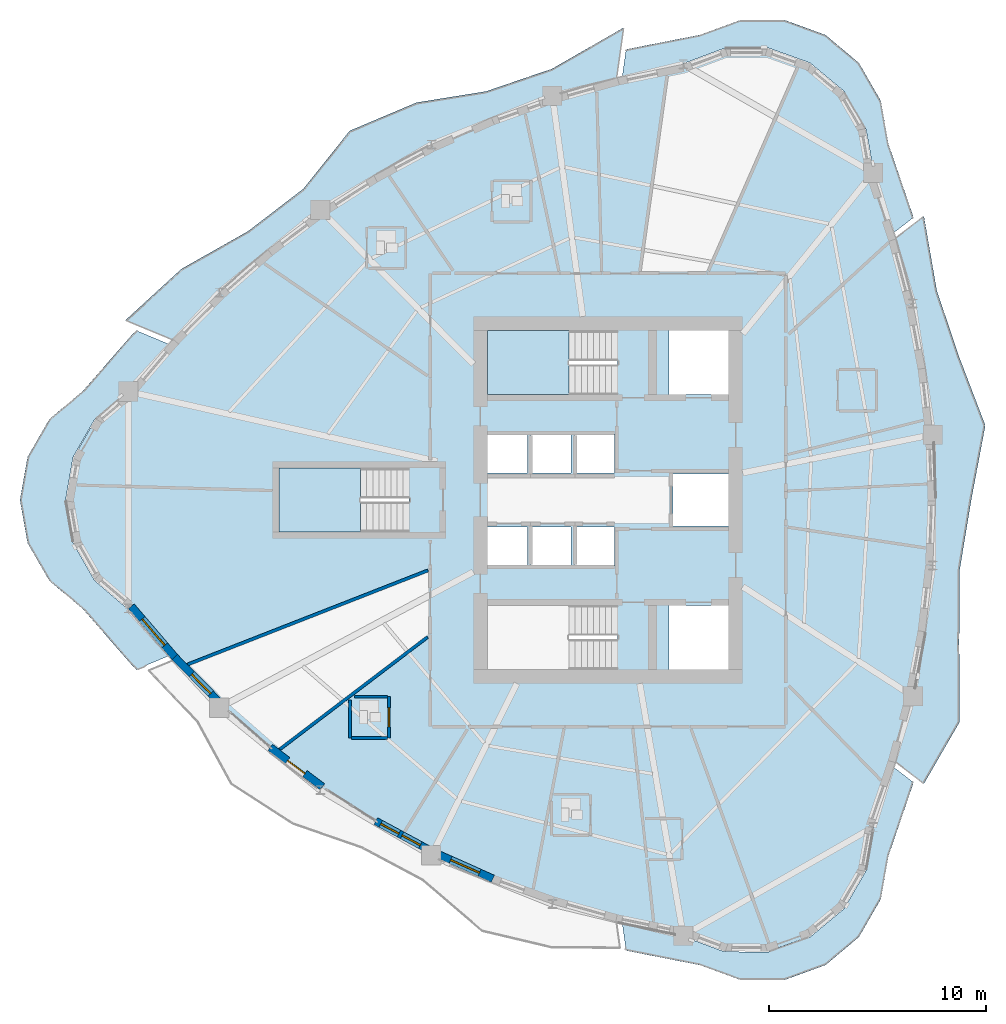
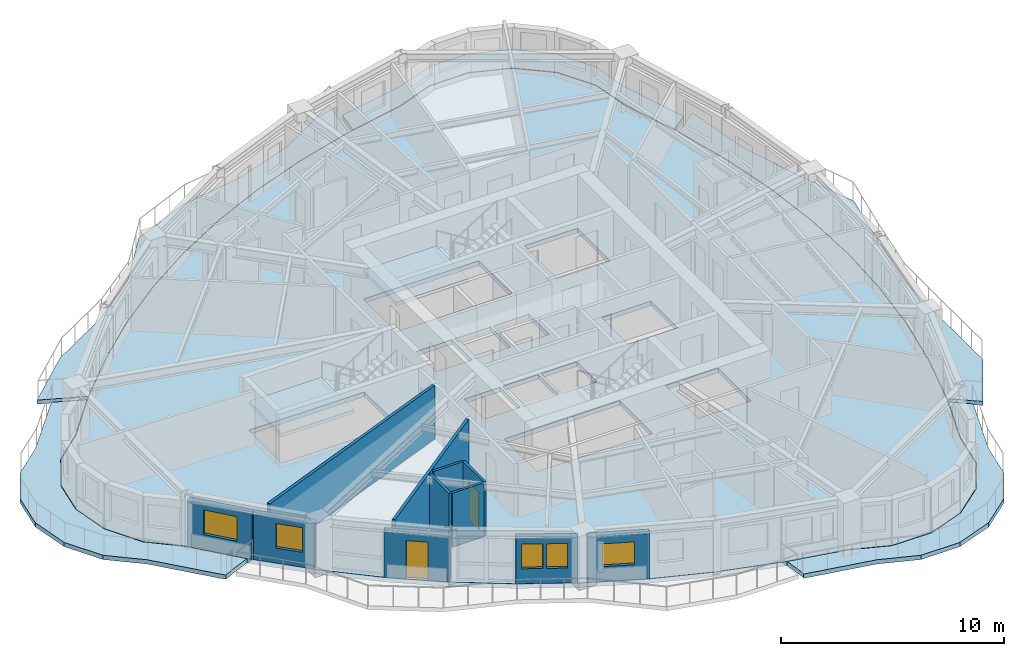
# One storey, part 4 of 15: 11 walls, 8 slabs, 5 windows, 2 doors, 7 openings, 2 elements without a shape of their own.
"""IFC4 building model written with IfcOpenShell, lengths in metres."""

from ifc_helpers import new_model, si_unit, direction, frame, frame_2d, origin, place, context, subcontext, project, spatial, polyline, rectangle, outline, extrude, source, transform, mapped, material, layer, layer_set, type_object, element, fill, aggregate, save


model = new_model("IFC4")

# Units and contexts
model_context = context("Model", 3, precision=1e-05, world=origin(), true_north=direction((0.0, 1.0)))
body_context = subcontext(model_context, "Body", "Model", "MODEL_VIEW")
ifc_project = project(units=[si_unit("LENGTHUNIT", "METRE"), si_unit("AREAUNIT", "SQUARE_METRE"), si_unit("VOLUMEUNIT", "CUBIC_METRE"), si_unit("PLANEANGLEUNIT", "RADIAN"), si_unit("MASSUNIT", "GRAM", prefix="KILO")], contexts=[model_context])

# Site, building, storey
site_placement = place(None, origin())
site = spatial("IfcSite", under=ifc_project, at=site_placement, CompositionType="ELEMENT")
building_placement = place(site_placement, origin())
building = spatial("IfcBuilding", under=site, at=building_placement, Name="Qafzar Sky-Pleat Residences", CompositionType="ELEMENT")
storey_placement = place(building_placement, frame((0.0, 0.0, 70.39990234375)))
storey = spatial("IfcBuildingStorey", under=building, at=storey_placement, Name="L20", CompositionType="ELEMENT", Elevation=70.39990234375)

# Slabs
ifc_material_1 = material(Name="Concrete C40/50", Category="concrete")
ifc_layer_1 = layer(ifc_material_1, 0.219970703125)
ifc_layer_set_1 = layer_set([ifc_layer_1], Name="Concrete C40/50")
slab_type_1 = type_object("IfcSlabType", Name="SLAB-BAL-220", PredefinedType="USERDEFINED", material=ifc_layer_set_1)
slab_1_placement = place(storey_placement, frame((0.0, 0.0, -0.219970703125)))
element("IfcSlab", 1, at=slab_1_placement, inside=storey, type_object=slab_type_1, Name="L20 Pleated Stone Balcony 1", ObjectType="BALCONY", PredefinedType="USERDEFINED", context=body_context, shape_type="SweptSolid", body=[
    extrude(outline(polyline([(44.402587890625, 16.9541015625), (44.97607421875, 19.96923828125), (45.320068359375, 22.984619140625), (45.434814453125, 26.0), (45.320068359375, 29.015380859375), (44.97607421875, 32.03076171875), (44.402587890625, 35.0458984375), (43.60009765625, 38.060791015625), (44.89599609375, 39.062744140625), (45.48681640625, 35.643798828125), (46.51953125, 32.5791015625), (47.721923828125, 29.43359375), (47.07275390625, 26.0), (46.539794921875, 22.772216796875), (46.51953125, 19.4208984375), (46.53759765625, 15.776611328125), (44.89599609375, 12.937255859375), (43.60009765625, 13.939208984375), (44.402587890625, 16.9541015625)])), origin(), (0.0, 0.0, 1.0), 0.219970703125),
])
slab_2_placement = place(storey_placement, frame((0.0, 0.0, -0.219970703125)))
element("IfcSlab", 2, at=slab_2_placement, inside=storey, type_object=slab_type_1, Name="L20 Pleated Stone Balcony 2", ObjectType="BALCONY", PredefinedType="USERDEFINED", context=body_context, shape_type="SweptSolid", body=[
    extrude(outline(polyline([(27.78662109375, 44.615966796875), (24.9423828125, 43.594482421875), (22.212890625, 42.37890625), (19.597900390625, 40.968505859375), (17.09765625, 39.363525390625), (14.7119140625, 37.56396484375), (12.44140625, 35.570068359375), (10.285400390625, 33.3818359375), (8.1337890625, 34.278564453125), (10.705322265625, 36.6376953125), (13.7783203125, 38.376708984375), (16.31494140625, 40.32275390625), (18.457275390625, 43.0009765625), (21.5341796875, 44.30029296875), (24.730712890625, 44.814208984375), (27.7724609375, 45.853759765625), (31.07080078125, 47.75048828125), (30.7451171875, 45.442626953125), (27.78662109375, 44.615966796875)])), origin(), (0.0, 0.0, 1.0), 0.219970703125),
])
ifc_layer_2 = layer(ifc_material_1, 0.25)
ifc_layer_set_2 = layer_set([ifc_layer_2], Name="Concrete C40/50")
slab_type_2 = type_object("IfcSlabType", Name="SLAB-FLR-250", PredefinedType="FLOOR", material=ifc_layer_set_2)
slab_3_placement = place(storey_placement, frame((0.0, 0.0, -0.25)))
element("IfcSlab", 3, at=slab_3_placement, inside=storey, type_object=slab_type_2, Name="L20 Structural Floor Slab", PredefinedType="FLOOR", context=body_context, shape_type="SweptSolid", body=[
    extrude(outline(polyline([(8.255859375, 30.99658203125), (6.735595703125, 29.701416015625), (5.7451171875, 27.96728515625), (5.401123046875, 26.0), (5.7451171875, 24.03271484375), (6.735595703125, 22.298583984375), (8.255859375, 21.00341796875), (10.29638671875, 18.622802734375), (12.451416015625, 16.436279296875), (14.72119140625, 14.44384765625), (17.105224609375, 12.645751953125), (19.60400390625, 11.0419921875), (22.217041015625, 9.632568359375), (24.944580078125, 8.417236328125), (27.786865234375, 7.39599609375), (30.743408203125, 6.5693359375), (33.814697265625, 5.936767578125), (35.709716796875, 5.22900390625), (37.732666015625, 5.21533203125), (39.63720703125, 5.897216796875), (41.19189453125, 7.191650390625), (42.207275390625, 8.941162109375), (42.56005859375, 10.93310546875), (43.590576171875, 13.946533203125), (44.39208984375, 16.9599609375), (44.964599609375, 19.973388671875), (45.30810546875, 22.986572265625), (45.422607421875, 26.0), (45.30810546875, 29.013427734375), (44.964599609375, 32.026611328125), (44.39208984375, 35.0400390625), (43.590576171875, 38.053466796875), (42.56005859375, 41.06689453125), (42.207275390625, 43.058837890625), (41.19189453125, 44.808349609375), (39.63720703125, 46.102783203125), (37.732666015625, 46.78466796875), (35.709716796875, 46.77099609375), (33.814697265625, 46.063232421875), (30.743408203125, 45.4306640625), (27.786865234375, 44.60400390625), (24.944580078125, 43.582763671875), (22.217041015625, 42.367431640625), (19.60400390625, 40.9580078125), (17.105224609375, 39.354248046875), (14.72119140625, 37.55615234375), (12.451416015625, 35.563720703125), (10.29638671875, 33.377197265625), (8.255859375, 30.99658203125)]), holes=[polyline([(30.797119140625, 21.14990234375), (24.800048828125, 21.14990234375), (24.800048828125, 18.199951171875), (30.797119140625, 18.199951171875), (30.797119140625, 21.14990234375)]), polyline([(30.797119140625, 33.800048828125), (24.800048828125, 33.800048828125), (24.800048828125, 30.85009765625), (30.797119140625, 30.85009765625), (30.797119140625, 33.800048828125)]), polyline([(21.197021484375, 27.47509765625), (15.199951171875, 27.47509765625), (15.199951171875, 24.52490234375), (21.197021484375, 24.52490234375), (21.197021484375, 27.47509765625)]), polyline([(24.800048828125, 22.949951171875), (26.64990234375, 22.949951171875), (26.64990234375, 24.75), (24.800048828125, 24.75), (24.800048828125, 22.949951171875)]), polyline([(26.800048828125, 22.949951171875), (28.64990234375, 22.949951171875), (28.64990234375, 24.75), (26.800048828125, 24.75), (26.800048828125, 22.949951171875)]), polyline([(28.800048828125, 22.949951171875), (30.64990234375, 22.949951171875), (30.64990234375, 24.75), (28.800048828125, 24.75), (28.800048828125, 22.949951171875)]), polyline([(24.800048828125, 27.25), (26.64990234375, 27.25), (26.64990234375, 29.050048828125), (24.800048828125, 29.050048828125), (24.800048828125, 27.25)]), polyline([(26.800048828125, 27.25), (28.64990234375, 27.25), (28.64990234375, 29.050048828125), (26.800048828125, 29.050048828125), (26.800048828125, 27.25)]), polyline([(28.800048828125, 27.25), (30.64990234375, 27.25), (30.64990234375, 29.050048828125), (28.800048828125, 29.050048828125), (28.800048828125, 27.25)]), polyline([(33.14990234375, 18.199951171875), (35.89990234375, 18.199951171875), (35.89990234375, 21.14990234375), (33.14990234375, 21.14990234375), (33.14990234375, 18.199951171875)]), polyline([(33.14990234375, 30.85009765625), (35.89990234375, 30.85009765625), (35.89990234375, 33.800048828125), (33.14990234375, 33.800048828125), (33.14990234375, 30.85009765625)]), polyline([(33.35009765625, 24.800048828125), (35.89990234375, 24.800048828125), (35.89990234375, 27.199951171875), (33.35009765625, 27.199951171875), (33.35009765625, 24.800048828125)])]), origin(), (0.0, 0.0, 1.0), 0.25),
])

# Stair, slab
stair_type = type_object("IfcStairType", Name="STAIR-H320", PredefinedType="HALF_TURN_STAIR", material=ifc_material_1)
stair_1_placement = place(storey_placement, origin())
stair_1 = element("IfcStair", 4, at=stair_1_placement, inside=storey, type_object=stair_type, Name="L20 Protected Exit Stair ST2", PredefinedType="HALF_TURN_STAIR")
ifc_layer_3 = layer(ifc_material_1, 0.199951171875)
ifc_layer_set_3 = layer_set([ifc_layer_3], Name="Concrete C40/50")
slab_type_3 = type_object("IfcSlabType", Name="SLAB-LANDING-200", PredefinedType="LANDING", material=ifc_layer_set_3)
slab_4_placement = place(storey_placement, frame((0.0, 0.0, 1.400146484375)))
slab_4 = element("IfcSlab", 5, at=slab_4_placement, type_object=slab_type_3, Name="ST2 landing 1", PredefinedType="LANDING", context=body_context, shape_type="SweptSolid", body=[
    extrude(outline(polyline([(28.56005859375, 33.800048828125), (24.800048828125, 33.800048828125), (24.800048828125, 30.85009765625), (28.56005859375, 30.85009765625), (28.56005859375, 33.800048828125)])), origin(), (0.0, 0.0, 1.0), 0.199951171875),
])
aggregate(stair_1, [slab_4])

stair_2_placement = place(storey_placement, origin())
stair_2 = element("IfcStair", 6, at=stair_2_placement, inside=storey, type_object=stair_type, Name="L20 Protected Exit Stair ST3", PredefinedType="HALF_TURN_STAIR")
slab_5_placement = place(storey_placement, frame((0.0, 0.0, 1.400146484375)))
slab_5 = element("IfcSlab", 7, at=slab_5_placement, type_object=slab_type_3, Name="ST3 landing 1", PredefinedType="LANDING", context=body_context, shape_type="SweptSolid", body=[
    extrude(outline(polyline([(18.9599609375, 27.47509765625), (15.199951171875, 27.47509765625), (15.199951171875, 24.52490234375), (18.9599609375, 24.52490234375), (18.9599609375, 27.47509765625)])), origin(), (0.0, 0.0, 1.0), 0.199951171875),
])
aggregate(stair_2, [slab_5])

# Slabs
ifc_layer_4 = layer(ifc_material_1, 0.235107421875)
ifc_layer_set_4 = layer_set([ifc_layer_4], Name="Concrete C40/50")
slab_type_4 = type_object("IfcSlabType", Name="SLAB-TER-235", PredefinedType="USERDEFINED", material=ifc_layer_set_4)
slab_6_placement = place(storey_placement, frame((0.0, 0.0, -0.23486328125)))
element("IfcSlab", 8, at=slab_6_placement, inside=storey, type_object=slab_type_4, Name="L20 Shared-Kitchen Corner Terrace 1", ObjectType="TERRACE", PredefinedType="USERDEFINED", context=body_context, shape_type="SweptSolid", body=[
    extrude(outline(polyline([(10.10107421875, 33.187744140625), (8.238037109375, 31.014404296875), (6.719482421875, 29.72021484375), (6.718017578125, 29.718994140625), (6.716552734375, 29.71728515625), (6.715087890625, 29.715576171875), (6.714111328125, 29.713623046875), (5.723388671875, 27.9794921875), (5.722412109375, 27.977783203125), (5.721435546875, 27.9755859375), (5.720703125, 27.9736328125), (5.720458984375, 27.971435546875), (5.376708984375, 26.00439453125), (5.376220703125, 26.002197265625), (5.376220703125, 26.0), (5.376220703125, 25.997802734375), (5.376708984375, 25.99560546875), (5.720458984375, 24.028564453125), (5.720703125, 24.0263671875), (5.721435546875, 24.0244140625), (5.722412109375, 24.022216796875), (5.723388671875, 24.0205078125), (6.714111328125, 22.286376953125), (6.715087890625, 22.284423828125), (6.716552734375, 22.28271484375), (6.718017578125, 22.281005859375), (6.719482421875, 22.27978515625), (8.238037109375, 20.985595703125), (10.10107421875, 18.812255859375), (9.04638671875, 18.372802734375), (9.024658203125, 18.3623046875), (9.00390625, 18.349853515625), (8.984375, 18.33544921875), (8.96630859375, 18.3193359375), (8.952880859375, 18.304443359375), (8.64208984375, 18.178955078125), (8.453125, 18.3671875), (6.175048828125, 20.97705078125), (4.6318359375, 22.271728515625), (3.624755859375, 24.016357421875), (3.27490234375, 26.0), (3.624755859375, 27.983642578125), (4.6318359375, 29.728271484375), (6.175048828125, 31.02294921875), (8.453125, 33.6328125), (8.624267578125, 33.80322265625), (10.10107421875, 33.187744140625)])), origin(), (0.0, 0.0, 1.0), 0.23486328125),
])
slab_7_placement = place(storey_placement, frame((0.0, 0.0, -0.23486328125)))
element("IfcSlab", 9, at=slab_7_placement, inside=storey, type_object=slab_type_4, Name="L20 Shared-Kitchen Corner Terrace 2", ObjectType="TERRACE", PredefinedType="USERDEFINED", context=body_context, shape_type="SweptSolid", body=[
    extrude(outline(polyline([(36.455322265625, 48.101318359375), (38.4697265625, 48.101318359375), (40.362548828125, 47.41259765625), (41.905517578125, 46.11767578125), (42.91259765625, 44.373291015625), (43.262451171875, 42.389404296875), (44.383544921875, 39.111572265625), (44.412109375, 39.00439453125), (43.52587890625, 38.319580078125), (42.584228515625, 41.072998046875), (42.231689453125, 43.063232421875), (42.231201171875, 43.065185546875), (42.230712890625, 43.0673828125), (42.229736328125, 43.0693359375), (42.228759765625, 43.0712890625), (41.21337890625, 44.82080078125), (41.212158203125, 44.82275390625), (41.2109375, 44.824462890625), (41.20947265625, 44.826171875), (41.207763671875, 44.82763671875), (39.6533203125, 46.1220703125), (39.651611328125, 46.123291015625), (39.649658203125, 46.12451171875), (39.647705078125, 46.12548828125), (39.6455078125, 46.12646484375), (37.740966796875, 46.80810546875), (37.739013671875, 46.808837890625), (37.73681640625, 46.809326171875), (37.734619140625, 46.8095703125), (37.732421875, 46.809814453125), (35.70947265625, 46.7958984375), (35.707275390625, 46.7958984375), (35.705078125, 46.79541015625), (35.702880859375, 46.794921875), (35.700927734375, 46.794189453125), (33.8076171875, 46.08740234375), (31.007080078125, 45.510498046875), (31.181884765625, 46.748046875), (34.5625, 47.41259765625), (36.455322265625, 48.101318359375)])), origin(), (0.0, 0.0, 1.0), 0.23486328125),
])
slab_8_placement = place(storey_placement, frame((0.0, 0.0, -0.23486328125)))
element("IfcSlab", 10, at=slab_8_placement, inside=storey, type_object=slab_type_4, Name="L20 Shared-Kitchen Corner Terrace 3", ObjectType="TERRACE", PredefinedType="USERDEFINED", context=body_context, shape_type="SweptSolid", body=[
    extrude(outline(polyline([(43.262451171875, 9.610595703125), (42.91259765625, 7.626708984375), (41.905517578125, 5.88232421875), (40.362548828125, 4.58740234375), (38.4697265625, 3.898681640625), (36.455322265625, 3.898681640625), (34.5625, 4.58740234375), (31.1630859375, 5.255615234375), (31.156494140625, 5.25732421875), (31.15966796875, 5.2666015625), (31.164794921875, 5.291259765625), (31.167724609375, 5.316162109375), (31.16796875, 5.34130859375), (31.165771484375, 5.36669921875), (31.007080078125, 6.489501953125), (33.8076171875, 5.91259765625), (35.700927734375, 5.205810546875), (35.702880859375, 5.205078125), (35.705078125, 5.20458984375), (35.707275390625, 5.2041015625), (35.70947265625, 5.2041015625), (37.732421875, 5.190185546875), (37.734619140625, 5.1904296875), (37.73681640625, 5.190673828125), (37.739013671875, 5.191162109375), (37.740966796875, 5.19189453125), (39.6455078125, 5.87353515625), (39.647705078125, 5.87451171875), (39.649658203125, 5.87548828125), (39.651611328125, 5.876708984375), (39.6533203125, 5.8779296875), (41.207763671875, 7.17236328125), (41.20947265625, 7.173828125), (41.2109375, 7.175537109375), (41.212158203125, 7.17724609375), (41.21337890625, 7.17919921875), (42.228759765625, 8.9287109375), (42.229736328125, 8.9306640625), (42.230712890625, 8.9326171875), (42.231201171875, 8.934814453125), (42.231689453125, 8.936767578125), (42.584228515625, 10.927001953125), (43.52587890625, 13.680419921875), (44.412109375, 12.99560546875), (44.383544921875, 12.888427734375), (43.262451171875, 9.610595703125)])), origin(), (0.0, 0.0, 1.0), 0.23486328125),
])

# Walls
ifc_material_2 = material(Name="Acoustic gypsum plasterboard partition", Category="gypsum")
ifc_layer_5 = layer(ifc_material_2, 0.14501953125)
ifc_layer_set_5 = layer_set([ifc_layer_5], Name="Acoustic gypsum plasterboard partition")
wall_type_1 = type_object("IfcWallType", Name="PART-UNIT-145", PredefinedType="PARTITIONING", material=ifc_layer_set_5)
wall_1_placement = place(storey_placement, frame((10.998046875, 18.42529296875, 0.0), z_axis=(0.0, 0.0, 1.0), x_axis=(0.931213049878, 0.364475315676, 0.0)))
element("IfcWall", 11, at=wall_1_placement, inside=storey, type_object=wall_type_1, Name="L20 Partition Wall PART-L20-PW-025", PredefinedType="PARTITIONING", context=body_context, shape_type="SweptSolid", body=[
    extrude(rectangle(XDim=11.875, YDim=0.14501953125, at=frame_2d((5.9375, 0.0))), origin(), (0.0, 0.0, 1.0), 2.9501953125),
])
wall_2_placement = place(storey_placement, frame((15.2392578125, 14.52587890625, 0.0), z_axis=(0.0, 0.0, 1.0), x_axis=(0.796393529077, 0.604778758592, 0.0)))
element("IfcWall", 12, at=wall_2_placement, inside=storey, type_object=wall_type_1, Name="L20 Partition Wall PART-L20-PW-031", PredefinedType="PARTITIONING", context=body_context, shape_type="SweptSolid", body=[
    extrude(rectangle(XDim=8.5390625, YDim=0.14501953125, at=frame_2d((4.26953125, 0.0))), origin(), (0.0, 0.0, 1.0), 2.9501953125),
])

# Wall, opening, door
ifc_material_3 = material(Name="Moisture-resistant gypsum partition", Category="gypsum")
ifc_layer_6 = layer(ifc_material_3, 0.1298828125)
ifc_layer_set_6 = layer_set([ifc_layer_6], Name="Moisture-resistant gypsum partition")
wall_type_2 = type_object("IfcWallType", Name="PART-WET-130", PredefinedType="PARTITIONING", material=ifc_layer_set_6)
wall_3_placement = place(storey_placement, frame((20.26611328125, 15.04296875, 0.0), z_axis=(0.0, 0.0, 1.0), x_axis=(0.0, 1.0, 0.0)))
wall_3 = element("IfcWall", 13, at=wall_3_placement, inside=storey, type_object=wall_type_2, Name="L20 Partition Wall PART-L20-PW-015", PredefinedType="PARTITIONING", context=body_context, shape_type="SweptSolid", body=[
    extrude(rectangle(XDim=1.900146484375, YDim=0.1298828125, at=frame_2d((0.9501953125, 0.0))), origin(), (0.0, 0.0, 1.0), 2.9501953125),
])
opening_1_placement = place(wall_3_placement, frame((0.510009765625, 0.0, 0.0)))
opening_1 = element("IfcOpeningElement", 14, at=opening_1_placement, cuts=wall_3, Name="Opening ID-07", PredefinedType="OPENING", context=body_context, shape_type="SweptSolid", body=[
    extrude(rectangle(XDim=0.8798828125, YDim=2.050048828125, at=frame_2d((0.43994140625, 1.02490234375))), frame((0.0, 0.074951171875, 0.0), z_axis=(0.0, -1.0, 0.0), x_axis=(1.0, 0.0, 0.0)), (0.0, 0.0, 1.0), 0.14990234375),
])
ifc_material_4 = material(Name="Timber-faced fire door", Category="wood")
door_type_1 = type_object("IfcDoorType", Name="DR-WET-880", OperationType="NOTDEFINED", PredefinedType="DOOR", material=ifc_material_4)
shared_shape_1 = source(origin(), body_context, "Body", "SweptSolid", [
    extrude(rectangle(XDim=0.8798828125, YDim=2.050048828125, at=frame_2d((0.43994140625, 1.02490234375))), frame((0.0, 0.02490234375, 0.0), z_axis=(0.0, -1.0, 0.0), x_axis=(1.0, 0.0, 0.0)), (0.0, 0.0, 1.0), 0.050048828125),
])
door_1_placement = place(opening_1_placement, origin())
door_1 = element("IfcDoor", 15, at=door_1_placement, inside=storey, type_object=door_type_1, Name="L20 En-suite Bathroom 5 Door", OperationType="SINGLE_SWING_LEFT", OverallHeight=2.050048828125, OverallWidth=0.8798828125, PredefinedType="DOOR", context=body_context, shape_type="MappedRepresentation", body=[
    mapped(shared_shape_1, transform((0.0, 0.0, 0.0), x_axis=(1.0, 0.0, 0.0), y_axis=(0.0, 1.0, 0.0), z_axis=(0.0, 0.0, 1.0), scale=1.0)),
])
fill(opening_1, door_1)

# Walls
wall_4_placement = place(storey_placement, frame((18.466064453125, 15.04296875, 0.0), z_axis=(0.0, 0.0, 1.0), x_axis=(0.0, 1.0, 0.0)))
element("IfcWall", 16, at=wall_4_placement, inside=storey, type_object=wall_type_2, Name="L20 Partition Wall PART-L20-PW-046", PredefinedType="PARTITIONING", context=body_context, shape_type="SweptSolid", body=[
    extrude(rectangle(XDim=1.751708984375, YDim=0.1298828125, at=frame_2d((0.8759765625, 0.0))), origin(), (0.0, 0.0, 1.0), 2.9501953125),
])
wall_5_placement = place(storey_placement, frame((18.679443359375, 16.943115234375, 0.0), z_axis=(0.0, 0.0, 1.0), x_axis=(1.0, 0.0, 0.0)))
element("IfcWall", 17, at=wall_5_placement, inside=storey, type_object=wall_type_2, Name="L20 Partition Wall PART-L20-PW-060", PredefinedType="PARTITIONING", context=body_context, shape_type="SweptSolid", body=[
    extrude(rectangle(XDim=1.513671875, YDim=0.1298828125, at=frame_2d((0.7568359375, 0.0))), origin(), (0.0, 0.0, 1.0), 2.9501953125),
])
wall_6_placement = place(storey_placement, frame((18.5390625, 15.04296875, 0.0), z_axis=(0.0, 0.0, 1.0), x_axis=(1.0, 0.0, 0.0)))
element("IfcWall", 18, at=wall_6_placement, inside=storey, type_object=wall_type_2, Name="L20 Partition Wall PART-L20-PW-061", PredefinedType="PARTITIONING", context=body_context, shape_type="SweptSolid", body=[
    extrude(rectangle(XDim=1.654052734375, YDim=0.1298828125, at=frame_2d((0.8271484375, 0.0))), origin(), (0.0, 0.0, 1.0), 2.9501953125),
])

# Wall, opening, window
ifc_material_5 = material(Name="Precast concrete C40/50 with honed Riyadh limestone", Category="concrete")
ifc_layer_7 = layer(ifc_material_5, 0.35009765625)
ifc_layer_set_7 = layer_set([ifc_layer_7], Name="Precast concrete C40/50 with honed Riyadh limestone")
wall_type_3 = type_object("IfcWallType", Name="WALL-EXT-350", PredefinedType="SOLIDWALL", material=ifc_layer_set_7)
wall_7_placement = place(storey_placement, frame((8.401611328125, 21.102294921875, 0.0), z_axis=(0.0, 0.0, 1.0), x_axis=(0.650797748491, -0.759251138004, 0.0)))
wall_7 = element("IfcWall", 19, at=wall_7_placement, inside=storey, type_object=wall_type_3, Name="L20 Limestone Facade Wall 7", PredefinedType="SOLIDWALL", context=body_context, shape_type="SweptSolid", body=[
    extrude(rectangle(XDim=3.15380859375, YDim=0.35009765625, at=frame_2d((1.576904296875, 0.0))), origin(), (0.0, 0.0, 1.0), 2.47998046875),
])
opening_2_placement = place(wall_7_placement, frame((0.766845703125, 0.0, 0.820068359375)))
opening_2 = element("IfcOpeningElement", 20, at=opening_2_placement, cuts=wall_7, Name="Opening WN-09", PredefinedType="OPENING", context=body_context, shape_type="SweptSolid", body=[
    extrude(rectangle(XDim=1.60009765625, YDim=1.35009765625, at=frame_2d((0.800048828125, 0.675048828125))), frame((0.0, 0.18505859375, 0.0), z_axis=(0.0, -1.0, 0.0), x_axis=(1.0, 0.0, 0.0)), (0.0, 0.0, 1.0), 0.3701171875),
])
ifc_material_6 = material(Name="Solar-control low-E glass in bronze aluminium frame", Category="glass")
window_type_1 = type_object("IfcWindowType", Name="WIN-09", PartitioningType="DOUBLE_PANEL_VERTICAL", PredefinedType="WINDOW", material=ifc_material_6)
shared_shape_2 = source(origin(), body_context, "Body", "SweptSolid", [
    extrude(rectangle(XDim=1.60009765625, YDim=1.35009765625, at=frame_2d((0.800048828125, 0.675048828125))), frame((0.0, 0.030029296875, 0.0), z_axis=(0.0, -1.0, 0.0), x_axis=(1.0, 0.0, 0.0)), (0.0, 0.0, 1.0), 0.06005859375),
])
window_1_placement = place(opening_2_placement, origin())
window_1 = element("IfcWindow", 21, at=window_1_placement, inside=storey, type_object=window_type_1, Name="L20 Punched Facade Window 07", OverallHeight=1.35009765625, OverallWidth=1.60009765625, PartitioningType="SINGLE_PANEL", PredefinedType="WINDOW", context=body_context, shape_type="MappedRepresentation", body=[
    mapped(shared_shape_2, transform((0.0, 0.0, 0.0), x_axis=(1.0, 0.0, 0.0), y_axis=(0.0, 1.0, 0.0), z_axis=(0.0, 0.0, 1.0), scale=1.0)),
])
fill(opening_2, window_1)

wall_8_placement = place(storey_placement, frame((10.394287109375, 18.772705078125, 0.0), z_axis=(0.0, 0.0, 1.0), x_axis=(0.701965316192, -0.712211130819, 0.0)))
wall_8 = element("IfcWall", 22, at=wall_8_placement, inside=storey, type_object=wall_type_3, Name="L20 Limestone Facade Wall 8", PredefinedType="SOLIDWALL", context=body_context, shape_type="SweptSolid", body=[
    extrude(rectangle(XDim=2.88330078125, YDim=0.35009765625, at=frame_2d((1.441650390625, 0.0))), origin(), (0.0, 0.0, 1.0), 2.47998046875),
])
opening_3_placement = place(wall_8_placement, frame((1.11279296875, 0.0, 0.820068359375)))
opening_3 = element("IfcOpeningElement", 23, at=opening_3_placement, cuts=wall_8, Name="Opening WN-11", PredefinedType="OPENING", context=body_context, shape_type="SweptSolid", body=[
    extrude(rectangle(XDim=1.25, YDim=1.35009765625, at=frame_2d((0.625, 0.675048828125))), frame((0.0, 0.18505859375, 0.0), z_axis=(0.0, -1.0, 0.0), x_axis=(1.0, 0.0, 0.0)), (0.0, 0.0, 1.0), 0.3701171875),
])
window_type_2 = type_object("IfcWindowType", Name="WIN-11", PartitioningType="SINGLE_PANEL", PredefinedType="WINDOW", material=ifc_material_6)
shared_shape_3 = source(origin(), body_context, "Body", "SweptSolid", [
    extrude(rectangle(XDim=1.25, YDim=1.35009765625, at=frame_2d((0.625, 0.675048828125))), frame((0.0, 0.030029296875, 0.0), z_axis=(0.0, -1.0, 0.0), x_axis=(1.0, 0.0, 0.0)), (0.0, 0.0, 1.0), 0.06005859375),
])
window_2_placement = place(opening_3_placement, origin())
window_2 = element("IfcWindow", 24, at=window_2_placement, inside=storey, type_object=window_type_2, Name="L20 Punched Facade Window 08-2", OverallHeight=1.35009765625, OverallWidth=1.25, PartitioningType="SINGLE_PANEL", PredefinedType="WINDOW", context=body_context, shape_type="MappedRepresentation", body=[
    mapped(shared_shape_3, transform((0.0, 0.0, 0.0), x_axis=(1.0, 0.0, 0.0), y_axis=(0.0, 1.0, 0.0), z_axis=(0.0, 0.0, 1.0), scale=1.0)),
])
fill(opening_3, window_2)

# Wall, opening, door
wall_9_placement = place(storey_placement, frame((14.796142578125, 14.6064453125, 0.0), z_axis=(0.0, 0.0, 1.0), x_axis=(0.79839776153, -0.602130396496, 0.0)))
wall_9 = element("IfcWall", 25, at=wall_9_placement, inside=storey, type_object=wall_type_3, Name="L20 Limestone Facade Wall 10", PredefinedType="SOLIDWALL", context=body_context, shape_type="SweptSolid", body=[
    extrude(rectangle(XDim=3.004150390625, YDim=0.35009765625, at=frame_2d((1.501953125, 0.0))), origin(), (0.0, 0.0, 1.0), 2.47998046875),
])
opening_4_placement = place(wall_9_placement, frame((1.002197265625, 0.0, 0.0)))
opening_4 = element("IfcOpeningElement", 26, at=opening_4_placement, cuts=wall_9, Name="Opening ED-05", PredefinedType="OPENING", context=body_context, shape_type="SweptSolid", body=[
    extrude(rectangle(XDim=1.0, YDim=2.10009765625, at=frame_2d((0.5, 1.050048828125))), frame((0.0, 0.18505859375, 0.0), z_axis=(0.0, -1.0, 0.0), x_axis=(1.0, 0.0, 0.0)), (0.0, 0.0, 1.0), 0.3701171875),
])
ifc_material_7 = material(Name="Glazed bronze aluminium door", Category="aluminium")
door_type_2 = type_object("IfcDoorType", Name="DR-BAL-1000", OperationType="NOTDEFINED", PredefinedType="DOOR", material=ifc_material_7)
shared_shape_4 = source(origin(), body_context, "Body", "SweptSolid", [
    extrude(rectangle(XDim=1.0, YDim=2.10009765625, at=frame_2d((0.5, 1.050048828125))), frame((0.0, 0.02490234375, 0.0), z_axis=(0.0, -1.0, 0.0), x_axis=(1.0, 0.0, 0.0)), (0.0, 0.0, 1.0), 0.050048828125),
])
door_2_placement = place(opening_4_placement, origin())
door_2 = element("IfcDoor", 27, at=door_2_placement, inside=storey, type_object=door_type_2, Name="L20 Glazed Balcony Door 3", OperationType="SINGLE_SWING_LEFT", OverallHeight=2.10009765625, OverallWidth=1.0, PredefinedType="DOOR", context=body_context, shape_type="MappedRepresentation", body=[
    mapped(shared_shape_4, transform((0.0, 0.0, 0.0), x_axis=(1.0, 0.0, 0.0), y_axis=(0.0, 1.0, 0.0), z_axis=(0.0, 0.0, 1.0), scale=1.0)),
])
fill(opening_4, door_2)

# Wall, openings, windows
wall_10_placement = place(storey_placement, frame((19.653564453125, 11.214111328125, 0.0), z_axis=(0.0, 0.0, 1.0), x_axis=(0.880112978449, -0.474764304857, 0.0)))
wall_10 = element("IfcWall", 28, at=wall_10_placement, inside=storey, type_object=wall_type_3, Name="L20 Limestone Facade Wall 12", PredefinedType="SOLIDWALL", context=body_context, shape_type="SweptSolid", body=[
    extrude(rectangle(XDim=2.781982421875, YDim=0.35009765625, at=frame_2d((1.39111328125, 0.0))), origin(), (0.0, 0.0, 1.0), 2.47998046875),
])
opening_5_placement = place(wall_10_placement, frame((0.263916015625, 0.0, 0.820068359375)))
opening_5 = element("IfcOpeningElement", 29, at=opening_5_placement, cuts=wall_10, Name="Opening WN-12", PredefinedType="OPENING", context=body_context, shape_type="SweptSolid", body=[
    extrude(rectangle(XDim=0.949951171875, YDim=1.35009765625, at=frame_2d((0.47509765625, 0.675048828125))), frame((0.0, 0.18505859375, 0.0), z_axis=(0.0, -1.0, 0.0), x_axis=(1.0, 0.0, 0.0)), (0.0, 0.0, 1.0), 0.3701171875),
])
opening_6_placement = place(wall_10_placement, frame((1.3798828125, 0.0, 0.820068359375)))
opening_6 = element("IfcOpeningElement", 30, at=opening_6_placement, cuts=wall_10, Name="Opening WN-12", PredefinedType="OPENING", context=body_context, shape_type="SweptSolid", body=[
    extrude(rectangle(XDim=0.949951171875, YDim=1.35009765625, at=frame_2d((0.47509765625, 0.675048828125))), frame((0.0, 0.18505859375, 0.0), z_axis=(0.0, -1.0, 0.0), x_axis=(1.0, 0.0, 0.0)), (0.0, 0.0, 1.0), 0.3701171875),
])
window_type_3 = type_object("IfcWindowType", Name="WIN-12", PartitioningType="SINGLE_PANEL", PredefinedType="WINDOW", material=ifc_material_6)
shared_shape_5 = source(origin(), body_context, "Body", "SweptSolid", [
    extrude(rectangle(XDim=0.949951171875, YDim=1.35009765625, at=frame_2d((0.47509765625, 0.675048828125))), frame((0.0, 0.030029296875, 0.0), z_axis=(0.0, -1.0, 0.0), x_axis=(1.0, 0.0, 0.0)), (0.0, 0.0, 1.0), 0.06005859375),
])
window_3_placement = place(opening_5_placement, origin())
window_3 = element("IfcWindow", 31, at=window_3_placement, inside=storey, type_object=window_type_3, Name="L20 Punched Facade Window 12", OverallHeight=1.35009765625, OverallWidth=0.949951171875, PartitioningType="SINGLE_PANEL", PredefinedType="WINDOW", context=body_context, shape_type="MappedRepresentation", body=[
    mapped(shared_shape_5, transform((0.0, 0.0, 0.0), x_axis=(1.0, 0.0, 0.0), y_axis=(0.0, 1.0, 0.0), z_axis=(0.0, 0.0, 1.0), scale=1.0)),
])
fill(opening_5, window_3)
window_4_placement = place(opening_6_placement, origin())
window_4 = element("IfcWindow", 32, at=window_4_placement, inside=storey, type_object=window_type_3, Name="L20 Punched Facade Window 12-2", OverallHeight=1.35009765625, OverallWidth=0.949951171875, PartitioningType="SINGLE_PANEL", PredefinedType="WINDOW", context=body_context, shape_type="MappedRepresentation", body=[
    mapped(shared_shape_5, transform((0.0, 0.0, 0.0), x_axis=(1.0, 0.0, 0.0), y_axis=(0.0, 1.0, 0.0), z_axis=(0.0, 0.0, 1.0), scale=1.0)),
])
fill(opening_6, window_4)

# Wall, opening, window
wall_11_placement = place(storey_placement, frame((22.49365234375, 9.70068359375, 0.0), z_axis=(0.0, 0.0, 1.0), x_axis=(0.913444316629, -0.406963733542, 0.0)))
wall_11 = element("IfcWall", 33, at=wall_11_placement, inside=storey, type_object=wall_type_3, Name="L20 Limestone Facade Wall 13", PredefinedType="SOLIDWALL", context=body_context, shape_type="SweptSolid", body=[
    extrude(rectangle(XDim=2.799072265625, YDim=0.35009765625, at=frame_2d((1.3994140625, 0.0))), origin(), (0.0, 0.0, 1.0), 2.47998046875),
])
opening_7_placement = place(wall_11_placement, frame((0.66943359375, 0.0, 0.820068359375)))
opening_7 = element("IfcOpeningElement", 34, at=opening_7_placement, cuts=wall_11, Name="Opening WN-15", PredefinedType="OPENING", context=body_context, shape_type="SweptSolid", body=[
    extrude(rectangle(XDim=1.449951171875, YDim=1.25, at=frame_2d((0.72509765625, 0.625))), frame((0.0, 0.18505859375, 0.0), z_axis=(0.0, -1.0, 0.0), x_axis=(1.0, 0.0, 0.0)), (0.0, 0.0, 1.0), 0.3701171875),
])
window_type_4 = type_object("IfcWindowType", Name="WIN-15", PartitioningType="SINGLE_PANEL", PredefinedType="WINDOW", material=ifc_material_6)
shared_shape_6 = source(origin(), body_context, "Body", "SweptSolid", [
    extrude(rectangle(XDim=1.449951171875, YDim=1.25, at=frame_2d((0.72509765625, 0.625))), frame((0.0, 0.030029296875, 0.0), z_axis=(0.0, -1.0, 0.0), x_axis=(1.0, 0.0, 0.0)), (0.0, 0.0, 1.0), 0.06005859375),
])
window_5_placement = place(opening_7_placement, origin())
window_5 = element("IfcWindow", 35, at=window_5_placement, inside=storey, type_object=window_type_4, Name="L20 Punched Facade Window 13", OverallHeight=1.25, OverallWidth=1.449951171875, PartitioningType="SINGLE_PANEL", PredefinedType="WINDOW", context=body_context, shape_type="MappedRepresentation", body=[
    mapped(shared_shape_6, transform((0.0, 0.0, 0.0), x_axis=(1.0, 0.0, 0.0), y_axis=(0.0, 1.0, 0.0), z_axis=(0.0, 0.0, 1.0), scale=1.0)),
])
fill(opening_7, window_5)

save(model, "model.ifc")
